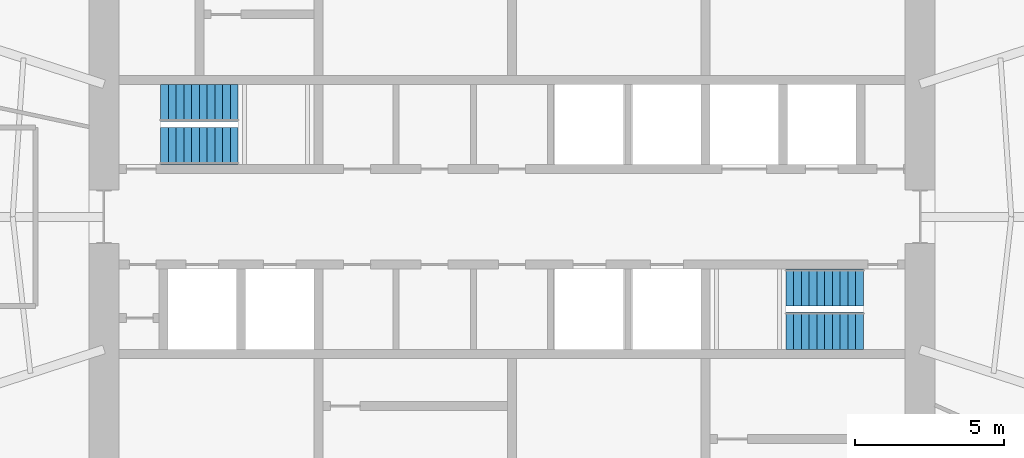
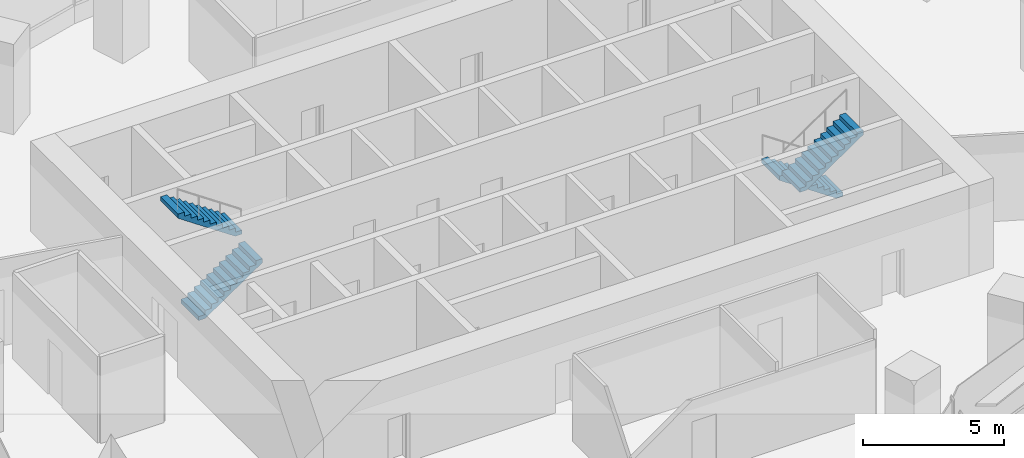
# One storey, part 12 of 14: 4 stair flights, 2 elements without a shape of their own.
"""IFC4 building model written with IfcOpenShell, lengths in metres."""

from ifc_helpers import new_model, si_unit, direction, frame, origin, place, context, subcontext, project, spatial, polyline, outline, extrude, material, type_object, element, aggregate, save


model = new_model("IFC4")

# Units and contexts
model_context = context("Model", 3, precision=1e-05, world=origin(), true_north=direction((0.0, 1.0)))
body_context = subcontext(model_context, "Body", "Model", "MODEL_VIEW")
ifc_project = project(units=[si_unit("LENGTHUNIT", "METRE"), si_unit("AREAUNIT", "SQUARE_METRE"), si_unit("VOLUMEUNIT", "CUBIC_METRE"), si_unit("PLANEANGLEUNIT", "RADIAN"), si_unit("MASSUNIT", "GRAM", prefix="KILO")], contexts=[model_context])

# Site, building, storey
site_placement = place(None, origin())
site = spatial("IfcSite", under=ifc_project, at=site_placement, CompositionType="ELEMENT")
building_placement = place(site_placement, origin())
building = spatial("IfcBuilding", under=site, at=building_placement, Name="Marramba Exchange Tower", CompositionType="ELEMENT")
storey_placement = place(building_placement, frame((0.0, 0.0, 218.89990234375)))
storey = spatial("IfcBuildingStorey", under=building, at=storey_placement, Name="L53", CompositionType="ELEMENT", Elevation=218.89990234375)

# Stair, stair flights
ifc_material = material(Name="Concrete N40 (40 MPa)", Category="concrete")
stair_type_1 = type_object("IfcStairType", Name="Exit stair ST1 3900 x 1250", PredefinedType="HALF_TURN_STAIR", material=ifc_material)
stair_1_placement = place(storey_placement, origin())
stair_1 = element("IfcStair", 1, at=stair_1_placement, inside=storey, type_object=stair_type_1, Name="Exit stair ST1 L53", PredefinedType="HALF_TURN_STAIR")
stair_flight_type_1 = type_object("IfcStairFlightType", Name="ST1 stair flight 1773 riser 1250 wide", PredefinedType="STRAIGHT", material=ifc_material)
stair_flight_1_placement = place(storey_placement, frame((-11.800048828125, 2.375, 0.0), z_axis=(0.0, 0.0, 1.0), x_axis=(1.0, 0.0, 0.0)))
stair_flight_1 = element("IfcStairFlight", 2, at=stair_flight_1_placement, type_object=stair_flight_type_1, Name="ST1 flight 1", NumberOfRisers=11, NumberOfTreads=10, PredefinedType="STRAIGHT", RiserHeight=0.177272727, TreadLength=0.26, context=body_context, shape_type="SweptSolid", body=[
    extrude(outline(polyline([(0.0, 0.0), (0.0, 0.17724609375), (0.260009765625, 0.17724609375), (0.260009765625, 0.3544921875), (0.52001953125, 0.3544921875), (0.52001953125, 0.53173828125), (0.780029296875, 0.53173828125), (0.780029296875, 0.708984375), (1.0400390625, 0.708984375), (1.0400390625, 0.886474609375), (1.300048828125, 0.886474609375), (1.300048828125, 1.063720703125), (1.56005859375, 1.063720703125), (1.56005859375, 1.240966796875), (1.820068359375, 1.240966796875), (1.820068359375, 1.418212890625), (2.080078125, 1.418212890625), (2.080078125, 1.595458984375), (2.340087890625, 1.595458984375), (2.340087890625, 1.772705078125), (2.60009765625, 1.772705078125), (2.60009765625, 1.949951171875), (2.60009765625, 1.59130859375), (0.26611328125, 0.0), (0.0, 0.0)])), frame((0.0, 0.625, 0.0), z_axis=(0.0, -1.0, 0.0), x_axis=(1.0, 0.0, 0.0)), (0.0, 0.0, 1.0), 1.25),
])
stair_flight_2_placement = place(storey_placement, frame((-9.199951171875, 3.824951171875, 1.9501953125), z_axis=(0.0, 0.0, 1.0), x_axis=(-1.0, 0.0, 0.0)))
stair_flight_2 = element("IfcStairFlight", 3, at=stair_flight_2_placement, type_object=stair_flight_type_1, Name="ST1 flight 2", NumberOfRisers=11, NumberOfTreads=10, PredefinedType="STRAIGHT", RiserHeight=0.177272727, TreadLength=0.26, context=body_context, shape_type="SweptSolid", body=[
    extrude(outline(polyline([(0.0, 0.0), (0.0, 0.17724609375), (0.260009765625, 0.17724609375), (0.260009765625, 0.3544921875), (0.52001953125, 0.3544921875), (0.52001953125, 0.53173828125), (0.780029296875, 0.53173828125), (0.780029296875, 0.708984375), (1.0400390625, 0.708984375), (1.0400390625, 0.886474609375), (1.300048828125, 0.886474609375), (1.300048828125, 1.063720703125), (1.56005859375, 1.063720703125), (1.56005859375, 1.240966796875), (1.820068359375, 1.240966796875), (1.820068359375, 1.418212890625), (2.080078125, 1.418212890625), (2.080078125, 1.595458984375), (2.340087890625, 1.595458984375), (2.340087890625, 1.772705078125), (2.60009765625, 1.772705078125), (2.60009765625, 1.949951171875), (2.60009765625, 1.59130859375), (0.26611328125, 0.0), (0.0, 0.0)])), frame((0.0, 0.625, 0.0), z_axis=(0.0, -1.0, 0.0), x_axis=(1.0, 0.0, 0.0)), (0.0, 0.0, 1.0), 1.25),
])
aggregate(stair_1, [stair_flight_1, stair_flight_2])

stair_type_2 = type_object("IfcStairType", Name="Exit stair ST2 3900 x 1250", PredefinedType="HALF_TURN_STAIR", material=ifc_material)
stair_2_placement = place(storey_placement, origin())
stair_2 = element("IfcStair", 4, at=stair_2_placement, inside=storey, type_object=stair_type_2, Name="Exit stair ST2 L53", PredefinedType="HALF_TURN_STAIR")
stair_flight_type_2 = type_object("IfcStairFlightType", Name="ST2 stair flight 1773 riser 1250 wide", PredefinedType="STRAIGHT", material=ifc_material)
stair_flight_3_placement = place(storey_placement, frame((11.800048828125, -2.375, 0.0), z_axis=(0.0, 0.0, 1.0), x_axis=(-1.0, 0.0, 0.0)))
stair_flight_3 = element("IfcStairFlight", 5, at=stair_flight_3_placement, type_object=stair_flight_type_2, Name="ST2 flight 1", NumberOfRisers=11, NumberOfTreads=10, PredefinedType="STRAIGHT", RiserHeight=0.177272727, TreadLength=0.26, context=body_context, shape_type="SweptSolid", body=[
    extrude(outline(polyline([(0.0, 0.0), (0.0, 0.17724609375), (0.260009765625, 0.17724609375), (0.260009765625, 0.3544921875), (0.52001953125, 0.3544921875), (0.52001953125, 0.53173828125), (0.780029296875, 0.53173828125), (0.780029296875, 0.708984375), (1.0400390625, 0.708984375), (1.0400390625, 0.886474609375), (1.300048828125, 0.886474609375), (1.300048828125, 1.063720703125), (1.56005859375, 1.063720703125), (1.56005859375, 1.240966796875), (1.820068359375, 1.240966796875), (1.820068359375, 1.418212890625), (2.080078125, 1.418212890625), (2.080078125, 1.595458984375), (2.340087890625, 1.595458984375), (2.340087890625, 1.772705078125), (2.60009765625, 1.772705078125), (2.60009765625, 1.949951171875), (2.60009765625, 1.59130859375), (0.26611328125, 0.0), (0.0, 0.0)])), frame((0.0, 0.625, 0.0), z_axis=(0.0, -1.0, 0.0), x_axis=(1.0, 0.0, 0.0)), (0.0, 0.0, 1.0), 1.25),
])
stair_flight_4_placement = place(storey_placement, frame((9.199951171875, -3.824951171875, 1.9501953125), z_axis=(0.0, 0.0, 1.0), x_axis=(1.0, 0.0, 0.0)))
stair_flight_4 = element("IfcStairFlight", 6, at=stair_flight_4_placement, type_object=stair_flight_type_2, Name="ST2 flight 2", NumberOfRisers=11, NumberOfTreads=10, PredefinedType="STRAIGHT", RiserHeight=0.177272727, TreadLength=0.26, context=body_context, shape_type="SweptSolid", body=[
    extrude(outline(polyline([(0.0, 0.0), (0.0, 0.17724609375), (0.260009765625, 0.17724609375), (0.260009765625, 0.3544921875), (0.52001953125, 0.3544921875), (0.52001953125, 0.53173828125), (0.780029296875, 0.53173828125), (0.780029296875, 0.708984375), (1.0400390625, 0.708984375), (1.0400390625, 0.886474609375), (1.300048828125, 0.886474609375), (1.300048828125, 1.063720703125), (1.56005859375, 1.063720703125), (1.56005859375, 1.240966796875), (1.820068359375, 1.240966796875), (1.820068359375, 1.418212890625), (2.080078125, 1.418212890625), (2.080078125, 1.595458984375), (2.340087890625, 1.595458984375), (2.340087890625, 1.772705078125), (2.60009765625, 1.772705078125), (2.60009765625, 1.949951171875), (2.60009765625, 1.59130859375), (0.26611328125, 0.0), (0.0, 0.0)])), frame((0.0, 0.625, 0.0), z_axis=(0.0, -1.0, 0.0), x_axis=(1.0, 0.0, 0.0)), (0.0, 0.0, 1.0), 1.25),
])
aggregate(stair_2, [stair_flight_3, stair_flight_4])

save(model, "model.ifc")
